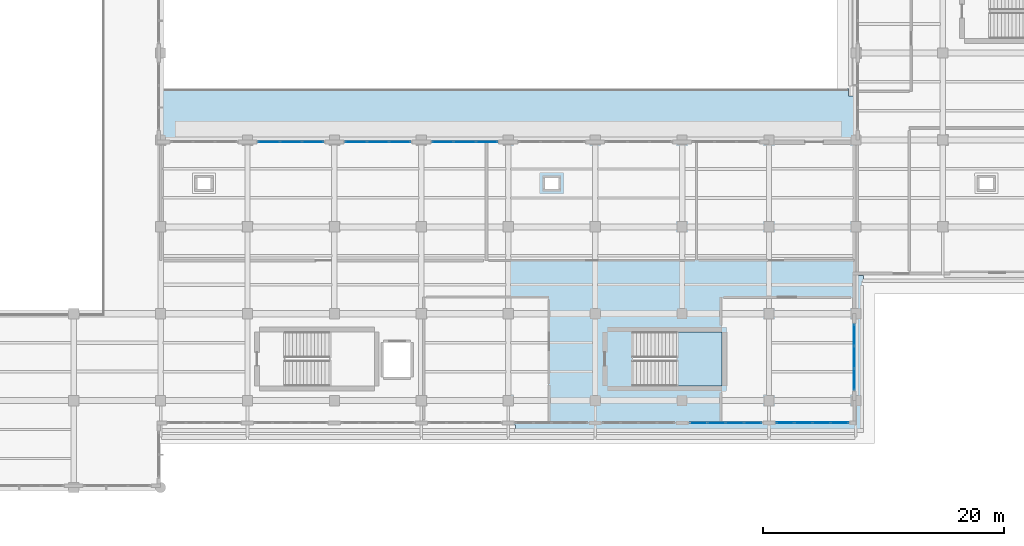
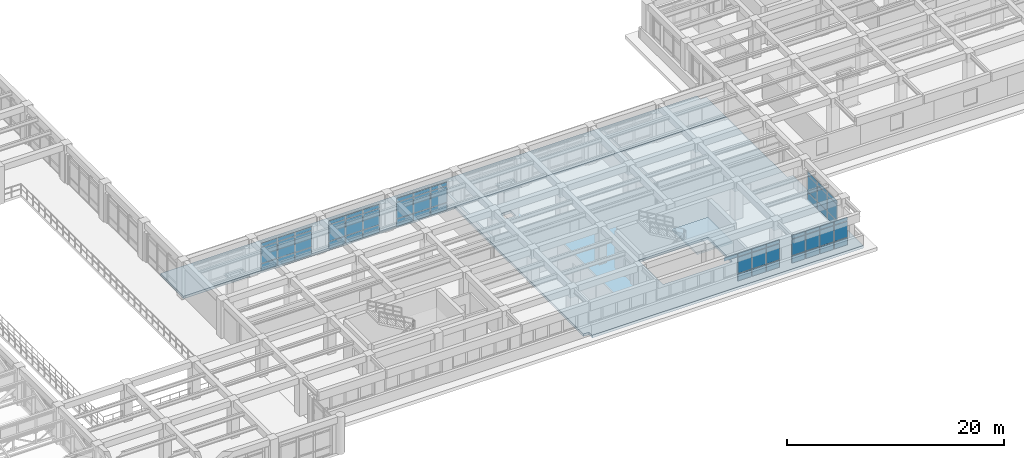
# One storey, part 69 of 98: 58 plates, 3 slabs, 7 elements without a shape of their own.
"""IFC4 building model written with IfcOpenShell, lengths in metres."""

from ifc_helpers import new_model, si_unit, direction, frame, origin, origin_2d, place, context, subcontext, project, spatial, polyline, rectangle, outline, extrude, material, layer, layer_set, type_object, element, aggregate, save


model = new_model("IFC4")

# Units and contexts
model_context = context("Model", 3, precision=1e-05, world=origin(), true_north=direction((0.0, 1.0)))
body_context = subcontext(model_context, "Body", "Model", "MODEL_VIEW")
ifc_project = project(units=[si_unit("LENGTHUNIT", "METRE"), si_unit("AREAUNIT", "SQUARE_METRE"), si_unit("VOLUMEUNIT", "CUBIC_METRE"), si_unit("PLANEANGLEUNIT", "RADIAN"), si_unit("MASSUNIT", "GRAM", prefix="KILO")], contexts=[model_context])

# Site, building, storey
site_placement = place(None, origin())
site = spatial("IfcSite", under=ifc_project, at=site_placement, CompositionType="ELEMENT")
building_placement = place(site_placement, origin())
building = spatial("IfcBuilding", under=site, at=building_placement, Name="Solenvale Faculty of Natural Sciences", CompositionType="ELEMENT")
storey_placement = place(building_placement, frame((0.0, 0.0, 9.0)))
storey = spatial("IfcBuildingStorey", under=building, at=storey_placement, Name="L02", CompositionType="ELEMENT", Elevation=9.0)

# Curtain wall, plates
ifc_material_1 = material(Name="Anodised bronze aluminium", Category="aluminium")
ifc_layer_1 = layer(ifc_material_1, 0.18994140625)
ifc_layer_set_1 = layer_set([ifc_layer_1], Name="Anodised bronze aluminium")
curtain_wall_type_1 = type_object("IfcCurtainWallType", Name="CW-TRAY-REC", PredefinedType="USERDEFINED", material=ifc_layer_set_1)
curtain_wall_1_placement = place(storey_placement, origin())
curtain_wall_1 = element("IfcCurtainWall", 1, at=curtain_wall_1_placement, inside=storey, type_object=curtain_wall_type_1, Name="L02 Curtain Wall CW-L02-P1-E6-B7", ObjectType="UNITISED CURTAIN WALL", PredefinedType="USERDEFINED")
ifc_material_2 = material(Name="North-light skylight glass", Category="glass")
ifc_layer_2 = layer(ifc_material_2, 0.028076171875)
ifc_layer_set_2 = layer_set([ifc_layer_2], Name="North-light skylight glass")
plate_type_1 = type_object("IfcPlateType", Name="CWP-PNL-28", PredefinedType="CURTAIN_PANEL", material=ifc_layer_set_2)
plate_1_placement = place(storey_placement, frame((70.214599609375, 43.03759765625, 0.074951171875), z_axis=(0.0, 0.0, 1.0), x_axis=(-1.0, 0.0, 0.0)))
plate_1 = element("IfcPlate", 2, at=plate_1_placement, type_object=plate_type_1, Name="CW-02 panel 1.1", PredefinedType="CURTAIN_PANEL", context=body_context, shape_type="SweptSolid", body=[
    extrude(rectangle(XDim=1.720947265625, YDim=0.028076171875, at=origin_2d()), origin(), (0.0, 0.0, 1.0), 0.78759765625),
])
plate_2_placement = place(storey_placement, frame((70.214599609375, 43.03759765625, 0.9375), z_axis=(0.0, 0.0, 1.0), x_axis=(-1.0, 0.0, 0.0)))
plate_2 = element("IfcPlate", 3, at=plate_2_placement, type_object=plate_type_1, Name="CW-02 panel 1.2", PredefinedType="CURTAIN_PANEL", context=body_context, shape_type="SweptSolid", body=[
    extrude(rectangle(XDim=1.720947265625, YDim=0.028076171875, at=origin_2d()), origin(), (0.0, 0.0, 1.0), 1.784912109375),
])
plate_3_placement = place(storey_placement, frame((70.214599609375, 43.03759765625, 2.79736328125), z_axis=(0.0, 0.0, 1.0), x_axis=(-1.0, 0.0, 0.0)))
plate_3 = element("IfcPlate", 4, at=plate_3_placement, type_object=plate_type_1, Name="CW-02 panel 1.3", PredefinedType="CURTAIN_PANEL", context=body_context, shape_type="SweptSolid", body=[
    extrude(rectangle(XDim=1.720947265625, YDim=0.028076171875, at=origin_2d()), origin(), (0.0, 0.0, 1.0), 0.387451171875),
])
plate_4_placement = place(storey_placement, frame((68.39990234375, 43.03759765625, 0.074951171875), z_axis=(0.0, 0.0, 1.0), x_axis=(-1.0, 0.0, 0.0)))
plate_4 = element("IfcPlate", 5, at=plate_4_placement, type_object=plate_type_1, Name="CW-02 panel 2.1", PredefinedType="CURTAIN_PANEL", context=body_context, shape_type="SweptSolid", body=[
    extrude(rectangle(XDim=1.75830078125, YDim=0.028076171875, at=origin_2d()), origin(), (0.0, 0.0, 1.0), 0.78759765625),
])
plate_5_placement = place(storey_placement, frame((68.39990234375, 43.03759765625, 0.9375), z_axis=(0.0, 0.0, 1.0), x_axis=(-1.0, 0.0, 0.0)))
plate_5 = element("IfcPlate", 6, at=plate_5_placement, type_object=plate_type_1, Name="CW-02 panel 2.2", PredefinedType="CURTAIN_PANEL", context=body_context, shape_type="SweptSolid", body=[
    extrude(rectangle(XDim=1.75830078125, YDim=0.028076171875, at=origin_2d()), origin(), (0.0, 0.0, 1.0), 1.784912109375),
])
plate_6_placement = place(storey_placement, frame((68.39990234375, 43.03759765625, 2.79736328125), z_axis=(0.0, 0.0, 1.0), x_axis=(-1.0, 0.0, 0.0)))
plate_6 = element("IfcPlate", 7, at=plate_6_placement, type_object=plate_type_1, Name="CW-02 panel 2.3", PredefinedType="CURTAIN_PANEL", context=body_context, shape_type="SweptSolid", body=[
    extrude(rectangle(XDim=1.75830078125, YDim=0.028076171875, at=origin_2d()), origin(), (0.0, 0.0, 1.0), 0.387451171875),
])
plate_7_placement = place(storey_placement, frame((66.58544921875, 43.03759765625, 0.074951171875), z_axis=(0.0, 0.0, 1.0), x_axis=(-1.0, 0.0, 0.0)))
plate_7 = element("IfcPlate", 8, at=plate_7_placement, type_object=plate_type_1, Name="CW-02 panel 3.1", PredefinedType="CURTAIN_PANEL", context=body_context, shape_type="SweptSolid", body=[
    extrude(rectangle(XDim=1.720947265625, YDim=0.028076171875, at=origin_2d()), origin(), (0.0, 0.0, 1.0), 0.78759765625),
])
plate_8_placement = place(storey_placement, frame((66.58544921875, 43.03759765625, 0.9375), z_axis=(0.0, 0.0, 1.0), x_axis=(-1.0, 0.0, 0.0)))
plate_8 = element("IfcPlate", 9, at=plate_8_placement, type_object=plate_type_1, Name="CW-02 panel 3.2", PredefinedType="CURTAIN_PANEL", context=body_context, shape_type="SweptSolid", body=[
    extrude(rectangle(XDim=1.720947265625, YDim=0.028076171875, at=origin_2d()), origin(), (0.0, 0.0, 1.0), 1.784912109375),
])
plate_9_placement = place(storey_placement, frame((66.58544921875, 43.03759765625, 2.79736328125), z_axis=(0.0, 0.0, 1.0), x_axis=(-1.0, 0.0, 0.0)))
plate_9 = element("IfcPlate", 10, at=plate_9_placement, type_object=plate_type_1, Name="CW-02 panel 3.3", PredefinedType="CURTAIN_PANEL", context=body_context, shape_type="SweptSolid", body=[
    extrude(rectangle(XDim=1.720947265625, YDim=0.028076171875, at=origin_2d()), origin(), (0.0, 0.0, 1.0), 0.387451171875),
])
aggregate(curtain_wall_1, [plate_1, plate_2, plate_3, plate_4, plate_5, plate_6, plate_7, plate_8, plate_9])

ifc_layer_3 = layer(ifc_material_1, 0.179931640625)
ifc_layer_set_3 = layer_set([ifc_layer_3], Name="Anodised bronze aluminium")
curtain_wall_type_2 = type_object("IfcCurtainWallType", Name="CW-TWR-MOD", PredefinedType="USERDEFINED", material=ifc_layer_set_3)
curtain_wall_2_placement = place(storey_placement, origin())
curtain_wall_2 = element("IfcCurtainWall", 11, at=curtain_wall_2_placement, inside=storey, type_object=curtain_wall_type_2, Name="L02 Curtain Wall CW-L02-P1-E1-B2", ObjectType="UNITISED CURTAIN WALL", PredefinedType="USERDEFINED")
ifc_layer_4 = layer(ifc_material_1, 0.053955078125)
ifc_layer_set_4 = layer_set([ifc_layer_4], Name="Anodised bronze aluminium")
plate_type_2 = type_object("IfcPlateType", Name="CWP-PNL-54", PredefinedType="CURTAIN_PANEL", material=ifc_layer_set_4)
plate_10_placement = place(storey_placement, frame((115.0576171875, 23.385498046875, 0.074951171875), z_axis=(0.0, 0.0, 1.0), x_axis=(0.0, 1.0, 0.0)))
plate_10 = element("IfcPlate", 12, at=plate_10_placement, type_object=plate_type_2, Name="CW-04 panel 1.1", PredefinedType="CURTAIN_PANEL", context=body_context, shape_type="SweptSolid", body=[
    extrude(rectangle(XDim=1.720947265625, YDim=0.053955078125, at=origin_2d()), origin(), (0.0, 0.0, 1.0), 0.78759765625),
])
plate_11_placement = place(storey_placement, frame((115.0576171875, 23.385498046875, 0.9375), z_axis=(0.0, 0.0, 1.0), x_axis=(0.0, 1.0, 0.0)))
plate_11 = element("IfcPlate", 13, at=plate_11_placement, type_object=plate_type_2, Name="CW-04 panel 1.2", PredefinedType="CURTAIN_PANEL", context=body_context, shape_type="SweptSolid", body=[
    extrude(rectangle(XDim=1.720947265625, YDim=0.053955078125, at=origin_2d()), origin(), (0.0, 0.0, 1.0), 1.784912109375),
])
plate_12_placement = place(storey_placement, frame((115.0576171875, 23.385498046875, 2.79736328125), z_axis=(0.0, 0.0, 1.0), x_axis=(0.0, 1.0, 0.0)))
plate_12 = element("IfcPlate", 14, at=plate_12_placement, type_object=plate_type_2, Name="CW-04 panel 1.3", PredefinedType="CURTAIN_PANEL", context=body_context, shape_type="SweptSolid", body=[
    extrude(rectangle(XDim=1.720947265625, YDim=0.053955078125, at=origin_2d()), origin(), (0.0, 0.0, 1.0), 0.387451171875),
])
plate_13_placement = place(storey_placement, frame((115.0576171875, 25.199951171875, 0.074951171875), z_axis=(0.0, 0.0, 1.0), x_axis=(0.0, 1.0, 0.0)))
plate_13 = element("IfcPlate", 15, at=plate_13_placement, type_object=plate_type_2, Name="CW-04 panel 2.1", PredefinedType="CURTAIN_PANEL", context=body_context, shape_type="SweptSolid", body=[
    extrude(rectangle(XDim=1.75830078125, YDim=0.053955078125, at=origin_2d()), origin(), (0.0, 0.0, 1.0), 0.78759765625),
])
plate_14_placement = place(storey_placement, frame((115.0576171875, 25.199951171875, 0.9375), z_axis=(0.0, 0.0, 1.0), x_axis=(0.0, 1.0, 0.0)))
plate_14 = element("IfcPlate", 16, at=plate_14_placement, type_object=plate_type_2, Name="CW-04 panel 2.2", PredefinedType="CURTAIN_PANEL", context=body_context, shape_type="SweptSolid", body=[
    extrude(rectangle(XDim=1.75830078125, YDim=0.053955078125, at=origin_2d()), origin(), (0.0, 0.0, 1.0), 1.784912109375),
])
plate_15_placement = place(storey_placement, frame((115.0576171875, 25.199951171875, 2.79736328125), z_axis=(0.0, 0.0, 1.0), x_axis=(0.0, 1.0, 0.0)))
plate_15 = element("IfcPlate", 17, at=plate_15_placement, type_object=plate_type_2, Name="CW-04 panel 2.3", PredefinedType="CURTAIN_PANEL", context=body_context, shape_type="SweptSolid", body=[
    extrude(rectangle(XDim=1.75830078125, YDim=0.053955078125, at=origin_2d()), origin(), (0.0, 0.0, 1.0), 0.387451171875),
])
plate_16_placement = place(storey_placement, frame((115.0576171875, 27.0146484375, 0.074951171875), z_axis=(0.0, 0.0, 1.0), x_axis=(0.0, 1.0, 0.0)))
plate_16 = element("IfcPlate", 18, at=plate_16_placement, type_object=plate_type_2, Name="CW-04 panel 3.1", PredefinedType="CURTAIN_PANEL", context=body_context, shape_type="SweptSolid", body=[
    extrude(rectangle(XDim=1.720947265625, YDim=0.053955078125, at=origin_2d()), origin(), (0.0, 0.0, 1.0), 0.78759765625),
])
plate_17_placement = place(storey_placement, frame((115.0576171875, 27.0146484375, 0.9375), z_axis=(0.0, 0.0, 1.0), x_axis=(0.0, 1.0, 0.0)))
plate_17 = element("IfcPlate", 19, at=plate_17_placement, type_object=plate_type_2, Name="CW-04 panel 3.2", PredefinedType="CURTAIN_PANEL", context=body_context, shape_type="SweptSolid", body=[
    extrude(rectangle(XDim=1.720947265625, YDim=0.053955078125, at=origin_2d()), origin(), (0.0, 0.0, 1.0), 1.784912109375),
])
plate_18_placement = place(storey_placement, frame((115.0576171875, 27.0146484375, 2.79736328125), z_axis=(0.0, 0.0, 1.0), x_axis=(0.0, 1.0, 0.0)))
plate_18 = element("IfcPlate", 20, at=plate_18_placement, type_object=plate_type_2, Name="CW-04 panel 3.3", PredefinedType="CURTAIN_PANEL", context=body_context, shape_type="SweptSolid", body=[
    extrude(rectangle(XDim=1.720947265625, YDim=0.053955078125, at=origin_2d()), origin(), (0.0, 0.0, 1.0), 0.387451171875),
])
aggregate(curtain_wall_2, [plate_10, plate_11, plate_12, plate_13, plate_14, plate_15, plate_16, plate_17, plate_18])

curtain_wall_3_placement = place(storey_placement, origin())
curtain_wall_3 = element("IfcCurtainWall", 21, at=curtain_wall_3_placement, inside=storey, type_object=curtain_wall_type_1, Name="L02 Curtain Wall CW-L02-P1-E6-B5", ObjectType="UNITISED CURTAIN WALL", PredefinedType="USERDEFINED")
plate_19_placement = place(storey_placement, frame((84.614501953125, 43.03759765625, 0.074951171875), z_axis=(0.0, 0.0, 1.0), x_axis=(-1.0, 0.0, 0.0)))
plate_19 = element("IfcPlate", 22, at=plate_19_placement, type_object=plate_type_2, Name="CW-02 panel 1.1", PredefinedType="CURTAIN_PANEL", context=body_context, shape_type="SweptSolid", body=[
    extrude(rectangle(XDim=1.720947265625, YDim=0.053955078125, at=origin_2d()), origin(), (0.0, 0.0, 1.0), 0.78759765625),
])
plate_20_placement = place(storey_placement, frame((84.614501953125, 43.03759765625, 0.9375), z_axis=(0.0, 0.0, 1.0), x_axis=(-1.0, 0.0, 0.0)))
plate_20 = element("IfcPlate", 23, at=plate_20_placement, type_object=plate_type_2, Name="CW-02 panel 1.2", PredefinedType="CURTAIN_PANEL", context=body_context, shape_type="SweptSolid", body=[
    extrude(rectangle(XDim=1.720947265625, YDim=0.053955078125, at=origin_2d()), origin(), (0.0, 0.0, 1.0), 1.784912109375),
])
plate_21_placement = place(storey_placement, frame((84.614501953125, 43.03759765625, 2.79736328125), z_axis=(0.0, 0.0, 1.0), x_axis=(-1.0, 0.0, 0.0)))
plate_21 = element("IfcPlate", 24, at=plate_21_placement, type_object=plate_type_2, Name="CW-02 panel 1.3", PredefinedType="CURTAIN_PANEL", context=body_context, shape_type="SweptSolid", body=[
    extrude(rectangle(XDim=1.720947265625, YDim=0.053955078125, at=origin_2d()), origin(), (0.0, 0.0, 1.0), 0.387451171875),
])
plate_22_placement = place(storey_placement, frame((82.800048828125, 43.03759765625, 0.074951171875), z_axis=(0.0, 0.0, 1.0), x_axis=(-1.0, 0.0, 0.0)))
plate_22 = element("IfcPlate", 25, at=plate_22_placement, type_object=plate_type_2, Name="CW-02 panel 2.1", PredefinedType="CURTAIN_PANEL", context=body_context, shape_type="SweptSolid", body=[
    extrude(rectangle(XDim=1.75830078125, YDim=0.053955078125, at=origin_2d()), origin(), (0.0, 0.0, 1.0), 0.78759765625),
])
plate_23_placement = place(storey_placement, frame((82.800048828125, 43.03759765625, 0.9375), z_axis=(0.0, 0.0, 1.0), x_axis=(-1.0, 0.0, 0.0)))
plate_23 = element("IfcPlate", 26, at=plate_23_placement, type_object=plate_type_2, Name="CW-02 panel 2.2", PredefinedType="CURTAIN_PANEL", context=body_context, shape_type="SweptSolid", body=[
    extrude(rectangle(XDim=1.75830078125, YDim=0.053955078125, at=origin_2d()), origin(), (0.0, 0.0, 1.0), 1.784912109375),
])
plate_24_placement = place(storey_placement, frame((82.800048828125, 43.03759765625, 2.79736328125), z_axis=(0.0, 0.0, 1.0), x_axis=(-1.0, 0.0, 0.0)))
plate_24 = element("IfcPlate", 27, at=plate_24_placement, type_object=plate_type_2, Name="CW-02 panel 2.3", PredefinedType="CURTAIN_PANEL", context=body_context, shape_type="SweptSolid", body=[
    extrude(rectangle(XDim=1.75830078125, YDim=0.053955078125, at=origin_2d()), origin(), (0.0, 0.0, 1.0), 0.387451171875),
])
plate_25_placement = place(storey_placement, frame((80.9853515625, 43.03759765625, 0.074951171875), z_axis=(0.0, 0.0, 1.0), x_axis=(-1.0, 0.0, 0.0)))
plate_25 = element("IfcPlate", 28, at=plate_25_placement, type_object=plate_type_2, Name="CW-02 panel 3.1", PredefinedType="CURTAIN_PANEL", context=body_context, shape_type="SweptSolid", body=[
    extrude(rectangle(XDim=1.720947265625, YDim=0.053955078125, at=origin_2d()), origin(), (0.0, 0.0, 1.0), 0.78759765625),
])
plate_26_placement = place(storey_placement, frame((80.9853515625, 43.03759765625, 0.9375), z_axis=(0.0, 0.0, 1.0), x_axis=(-1.0, 0.0, 0.0)))
plate_26 = element("IfcPlate", 29, at=plate_26_placement, type_object=plate_type_2, Name="CW-02 panel 3.2", PredefinedType="CURTAIN_PANEL", context=body_context, shape_type="SweptSolid", body=[
    extrude(rectangle(XDim=1.720947265625, YDim=0.053955078125, at=origin_2d()), origin(), (0.0, 0.0, 1.0), 1.784912109375),
])
plate_27_placement = place(storey_placement, frame((80.9853515625, 43.03759765625, 2.79736328125), z_axis=(0.0, 0.0, 1.0), x_axis=(-1.0, 0.0, 0.0)))
plate_27 = element("IfcPlate", 30, at=plate_27_placement, type_object=plate_type_2, Name="CW-02 panel 3.3", PredefinedType="CURTAIN_PANEL", context=body_context, shape_type="SweptSolid", body=[
    extrude(rectangle(XDim=1.720947265625, YDim=0.053955078125, at=origin_2d()), origin(), (0.0, 0.0, 1.0), 0.387451171875),
])
aggregate(curtain_wall_3, [plate_19, plate_20, plate_21, plate_22, plate_23, plate_24, plate_25, plate_26, plate_27])

curtain_wall_4_placement = place(storey_placement, origin())
curtain_wall_4 = element("IfcCurtainWall", 31, at=curtain_wall_4_placement, inside=storey, type_object=curtain_wall_type_1, Name="L02 Curtain Wall CW-L02-P1-E12-B7", ObjectType="UNITISED CURTAIN WALL", PredefinedType="USERDEFINED")
plate_28_placement = place(storey_placement, frame((102.15380859375, 19.762451171875, 2.79736328125), z_axis=(0.0, 0.0, 1.0), x_axis=(1.0, 0.0, 0.0)))
plate_28 = element("IfcPlate", 32, at=plate_28_placement, type_object=plate_type_2, Name="CW-02 panel 1.3", PredefinedType="CURTAIN_PANEL", context=body_context, shape_type="SweptSolid", body=[
    extrude(rectangle(XDim=1.3974609375, YDim=0.053955078125, at=origin_2d()), origin(), (0.0, 0.0, 1.0), 0.387451171875),
])
plate_29_placement = place(storey_placement, frame((103.64501953125, 19.762451171875, 0.074951171875), z_axis=(0.0, 0.0, 1.0), x_axis=(1.0, 0.0, 0.0)))
plate_29 = element("IfcPlate", 33, at=plate_29_placement, type_object=plate_type_2, Name="CW-02 panel 2.1", PredefinedType="CURTAIN_PANEL", context=body_context, shape_type="SweptSolid", body=[
    extrude(rectangle(XDim=1.43505859375, YDim=0.053955078125, at=origin_2d()), origin(), (0.0, 0.0, 1.0), 0.78759765625),
])
plate_30_placement = place(storey_placement, frame((103.64501953125, 19.762451171875, 0.9375), z_axis=(0.0, 0.0, 1.0), x_axis=(1.0, 0.0, 0.0)))
plate_30 = element("IfcPlate", 34, at=plate_30_placement, type_object=plate_type_2, Name="CW-02 panel 2.2", PredefinedType="CURTAIN_PANEL", context=body_context, shape_type="SweptSolid", body=[
    extrude(rectangle(XDim=1.43505859375, YDim=0.053955078125, at=origin_2d()), origin(), (0.0, 0.0, 1.0), 1.784912109375),
])
plate_31_placement = place(storey_placement, frame((103.64501953125, 19.762451171875, 2.79736328125), z_axis=(0.0, 0.0, 1.0), x_axis=(1.0, 0.0, 0.0)))
plate_31 = element("IfcPlate", 35, at=plate_31_placement, type_object=plate_type_2, Name="CW-02 panel 2.3", PredefinedType="CURTAIN_PANEL", context=body_context, shape_type="SweptSolid", body=[
    extrude(rectangle(XDim=1.43505859375, YDim=0.053955078125, at=origin_2d()), origin(), (0.0, 0.0, 1.0), 0.387451171875),
])
plate_32_placement = place(storey_placement, frame((105.155029296875, 19.762451171875, 0.074951171875), z_axis=(0.0, 0.0, 1.0), x_axis=(1.0, 0.0, 0.0)))
plate_32 = element("IfcPlate", 36, at=plate_32_placement, type_object=plate_type_2, Name="CW-02 panel 3.1", PredefinedType="CURTAIN_PANEL", context=body_context, shape_type="SweptSolid", body=[
    extrude(rectangle(XDim=1.43505859375, YDim=0.053955078125, at=origin_2d()), origin(), (0.0, 0.0, 1.0), 0.78759765625),
])
plate_33_placement = place(storey_placement, frame((105.155029296875, 19.762451171875, 0.9375), z_axis=(0.0, 0.0, 1.0), x_axis=(1.0, 0.0, 0.0)))
plate_33 = element("IfcPlate", 37, at=plate_33_placement, type_object=plate_type_2, Name="CW-02 panel 3.2", PredefinedType="CURTAIN_PANEL", context=body_context, shape_type="SweptSolid", body=[
    extrude(rectangle(XDim=1.43505859375, YDim=0.053955078125, at=origin_2d()), origin(), (0.0, 0.0, 1.0), 1.784912109375),
])
plate_34_placement = place(storey_placement, frame((105.155029296875, 19.762451171875, 2.79736328125), z_axis=(0.0, 0.0, 1.0), x_axis=(1.0, 0.0, 0.0)))
plate_34 = element("IfcPlate", 38, at=plate_34_placement, type_object=plate_type_2, Name="CW-02 panel 3.3", PredefinedType="CURTAIN_PANEL", context=body_context, shape_type="SweptSolid", body=[
    extrude(rectangle(XDim=1.43505859375, YDim=0.053955078125, at=origin_2d()), origin(), (0.0, 0.0, 1.0), 0.387451171875),
])
plate_35_placement = place(storey_placement, frame((106.646240234375, 19.762451171875, 0.074951171875), z_axis=(0.0, 0.0, 1.0), x_axis=(1.0, 0.0, 0.0)))
plate_35 = element("IfcPlate", 39, at=plate_35_placement, type_object=plate_type_2, Name="CW-02 panel 4.1", PredefinedType="CURTAIN_PANEL", context=body_context, shape_type="SweptSolid", body=[
    extrude(rectangle(XDim=1.3974609375, YDim=0.053955078125, at=origin_2d()), origin(), (0.0, 0.0, 1.0), 0.78759765625),
])
plate_36_placement = place(storey_placement, frame((106.646240234375, 19.762451171875, 0.9375), z_axis=(0.0, 0.0, 1.0), x_axis=(1.0, 0.0, 0.0)))
plate_36 = element("IfcPlate", 40, at=plate_36_placement, type_object=plate_type_2, Name="CW-02 panel 4.2", PredefinedType="CURTAIN_PANEL", context=body_context, shape_type="SweptSolid", body=[
    extrude(rectangle(XDim=1.3974609375, YDim=0.053955078125, at=origin_2d()), origin(), (0.0, 0.0, 1.0), 1.784912109375),
])
plate_37_placement = place(storey_placement, frame((106.646240234375, 19.762451171875, 2.79736328125), z_axis=(0.0, 0.0, 1.0), x_axis=(1.0, 0.0, 0.0)))
plate_37 = element("IfcPlate", 41, at=plate_37_placement, type_object=plate_type_2, Name="CW-02 panel 4.3", PredefinedType="CURTAIN_PANEL", context=body_context, shape_type="SweptSolid", body=[
    extrude(rectangle(XDim=1.3974609375, YDim=0.053955078125, at=origin_2d()), origin(), (0.0, 0.0, 1.0), 0.387451171875),
])
aggregate(curtain_wall_4, [plate_28, plate_29, plate_30, plate_31, plate_32, plate_33, plate_34, plate_35, plate_36, plate_37])

curtain_wall_5_placement = place(storey_placement, origin())
curtain_wall_5 = element("IfcCurtainWall", 42, at=curtain_wall_5_placement, inside=storey, type_object=curtain_wall_type_1, Name="L02 Curtain Wall CW-L02-P1-E6-B6", ObjectType="UNITISED CURTAIN WALL", PredefinedType="USERDEFINED")
ifc_layer_5 = layer(ifc_material_1, 0.06005859375)
ifc_layer_set_5 = layer_set([ifc_layer_5], Name="Anodised bronze aluminium")
plate_type_3 = type_object("IfcPlateType", Name="CWP-PNL-60", PredefinedType="CURTAIN_PANEL", material=ifc_layer_set_5)
plate_38_placement = place(storey_placement, frame((77.41455078125, 43.03759765625, 0.074951171875), z_axis=(0.0, 0.0, 1.0), x_axis=(-1.0, 0.0, 0.0)))
plate_38 = element("IfcPlate", 43, at=plate_38_placement, type_object=plate_type_3, Name="CW-02 panel 1.1", PredefinedType="CURTAIN_PANEL", context=body_context, shape_type="SweptSolid", body=[
    extrude(rectangle(XDim=1.720947265625, YDim=0.06005859375, at=origin_2d()), origin(), (0.0, 0.0, 1.0), 0.78759765625),
])
plate_39_placement = place(storey_placement, frame((77.41455078125, 43.03759765625, 0.9375), z_axis=(0.0, 0.0, 1.0), x_axis=(-1.0, 0.0, 0.0)))
plate_39 = element("IfcPlate", 44, at=plate_39_placement, type_object=plate_type_3, Name="CW-02 panel 1.2", PredefinedType="CURTAIN_PANEL", context=body_context, shape_type="SweptSolid", body=[
    extrude(rectangle(XDim=1.720947265625, YDim=0.06005859375, at=origin_2d()), origin(), (0.0, 0.0, 1.0), 1.784912109375),
])
plate_40_placement = place(storey_placement, frame((77.41455078125, 43.03759765625, 2.79736328125), z_axis=(0.0, 0.0, 1.0), x_axis=(-1.0, 0.0, 0.0)))
plate_40 = element("IfcPlate", 45, at=plate_40_placement, type_object=plate_type_3, Name="CW-02 panel 1.3", PredefinedType="CURTAIN_PANEL", context=body_context, shape_type="SweptSolid", body=[
    extrude(rectangle(XDim=1.720947265625, YDim=0.06005859375, at=origin_2d()), origin(), (0.0, 0.0, 1.0), 0.387451171875),
])
plate_41_placement = place(storey_placement, frame((75.60009765625, 43.03759765625, 0.074951171875), z_axis=(0.0, 0.0, 1.0), x_axis=(-1.0, 0.0, 0.0)))
plate_41 = element("IfcPlate", 46, at=plate_41_placement, type_object=plate_type_3, Name="CW-02 panel 2.1", PredefinedType="CURTAIN_PANEL", context=body_context, shape_type="SweptSolid", body=[
    extrude(rectangle(XDim=1.75830078125, YDim=0.06005859375, at=origin_2d()), origin(), (0.0, 0.0, 1.0), 0.78759765625),
])
plate_42_placement = place(storey_placement, frame((75.60009765625, 43.03759765625, 0.9375), z_axis=(0.0, 0.0, 1.0), x_axis=(-1.0, 0.0, 0.0)))
plate_42 = element("IfcPlate", 47, at=plate_42_placement, type_object=plate_type_3, Name="CW-02 panel 2.2", PredefinedType="CURTAIN_PANEL", context=body_context, shape_type="SweptSolid", body=[
    extrude(rectangle(XDim=1.75830078125, YDim=0.06005859375, at=origin_2d()), origin(), (0.0, 0.0, 1.0), 1.784912109375),
])
plate_43_placement = place(storey_placement, frame((75.60009765625, 43.03759765625, 2.79736328125), z_axis=(0.0, 0.0, 1.0), x_axis=(-1.0, 0.0, 0.0)))
plate_43 = element("IfcPlate", 48, at=plate_43_placement, type_object=plate_type_3, Name="CW-02 panel 2.3", PredefinedType="CURTAIN_PANEL", context=body_context, shape_type="SweptSolid", body=[
    extrude(rectangle(XDim=1.75830078125, YDim=0.06005859375, at=origin_2d()), origin(), (0.0, 0.0, 1.0), 0.387451171875),
])
plate_44_placement = place(storey_placement, frame((73.785400390625, 43.03759765625, 0.074951171875), z_axis=(0.0, 0.0, 1.0), x_axis=(-1.0, 0.0, 0.0)))
plate_44 = element("IfcPlate", 49, at=plate_44_placement, type_object=plate_type_3, Name="CW-02 panel 3.1", PredefinedType="CURTAIN_PANEL", context=body_context, shape_type="SweptSolid", body=[
    extrude(rectangle(XDim=1.720947265625, YDim=0.06005859375, at=origin_2d()), origin(), (0.0, 0.0, 1.0), 0.78759765625),
])
plate_45_placement = place(storey_placement, frame((73.785400390625, 43.03759765625, 0.9375), z_axis=(0.0, 0.0, 1.0), x_axis=(-1.0, 0.0, 0.0)))
plate_45 = element("IfcPlate", 50, at=plate_45_placement, type_object=plate_type_3, Name="CW-02 panel 3.2", PredefinedType="CURTAIN_PANEL", context=body_context, shape_type="SweptSolid", body=[
    extrude(rectangle(XDim=1.720947265625, YDim=0.06005859375, at=origin_2d()), origin(), (0.0, 0.0, 1.0), 1.784912109375),
])
plate_46_placement = place(storey_placement, frame((73.785400390625, 43.03759765625, 2.79736328125), z_axis=(0.0, 0.0, 1.0), x_axis=(-1.0, 0.0, 0.0)))
plate_46 = element("IfcPlate", 51, at=plate_46_placement, type_object=plate_type_3, Name="CW-02 panel 3.3", PredefinedType="CURTAIN_PANEL", context=body_context, shape_type="SweptSolid", body=[
    extrude(rectangle(XDim=1.720947265625, YDim=0.06005859375, at=origin_2d()), origin(), (0.0, 0.0, 1.0), 0.387451171875),
])
aggregate(curtain_wall_5, [plate_38, plate_39, plate_40, plate_41, plate_42, plate_43, plate_44, plate_45, plate_46])

curtain_wall_6_placement = place(storey_placement, origin())
curtain_wall_6 = element("IfcCurtainWall", 52, at=curtain_wall_6_placement, inside=storey, type_object=curtain_wall_type_1, Name="L02 Curtain Wall CW-L02-P1-E12-B8", ObjectType="UNITISED CURTAIN WALL", PredefinedType="USERDEFINED")
plate_47_placement = place(storey_placement, frame((109.353759765625, 19.762451171875, 0.074951171875), z_axis=(0.0, 0.0, 1.0), x_axis=(1.0, 0.0, 0.0)))
plate_47 = element("IfcPlate", 53, at=plate_47_placement, type_object=plate_type_3, Name="CW-02 panel 1.1", PredefinedType="CURTAIN_PANEL", context=body_context, shape_type="SweptSolid", body=[
    extrude(rectangle(XDim=1.3974609375, YDim=0.06005859375, at=origin_2d()), origin(), (0.0, 0.0, 1.0), 0.78759765625),
])
plate_48_placement = place(storey_placement, frame((109.353759765625, 19.762451171875, 0.9375), z_axis=(0.0, 0.0, 1.0), x_axis=(1.0, 0.0, 0.0)))
plate_48 = element("IfcPlate", 54, at=plate_48_placement, type_object=plate_type_3, Name="CW-02 panel 1.2", PredefinedType="CURTAIN_PANEL", context=body_context, shape_type="SweptSolid", body=[
    extrude(rectangle(XDim=1.3974609375, YDim=0.06005859375, at=origin_2d()), origin(), (0.0, 0.0, 1.0), 1.784912109375),
])
plate_49_placement = place(storey_placement, frame((109.353759765625, 19.762451171875, 2.79736328125), z_axis=(0.0, 0.0, 1.0), x_axis=(1.0, 0.0, 0.0)))
plate_49 = element("IfcPlate", 55, at=plate_49_placement, type_object=plate_type_3, Name="CW-02 panel 1.3", PredefinedType="CURTAIN_PANEL", context=body_context, shape_type="SweptSolid", body=[
    extrude(rectangle(XDim=1.3974609375, YDim=0.06005859375, at=origin_2d()), origin(), (0.0, 0.0, 1.0), 0.387451171875),
])
plate_50_placement = place(storey_placement, frame((110.844970703125, 19.762451171875, 0.074951171875), z_axis=(0.0, 0.0, 1.0), x_axis=(1.0, 0.0, 0.0)))
plate_50 = element("IfcPlate", 56, at=plate_50_placement, type_object=plate_type_3, Name="CW-02 panel 2.1", PredefinedType="CURTAIN_PANEL", context=body_context, shape_type="SweptSolid", body=[
    extrude(rectangle(XDim=1.43505859375, YDim=0.06005859375, at=origin_2d()), origin(), (0.0, 0.0, 1.0), 0.78759765625),
])
plate_51_placement = place(storey_placement, frame((110.844970703125, 19.762451171875, 0.9375), z_axis=(0.0, 0.0, 1.0), x_axis=(1.0, 0.0, 0.0)))
plate_51 = element("IfcPlate", 57, at=plate_51_placement, type_object=plate_type_3, Name="CW-02 panel 2.2", PredefinedType="CURTAIN_PANEL", context=body_context, shape_type="SweptSolid", body=[
    extrude(rectangle(XDim=1.43505859375, YDim=0.06005859375, at=origin_2d()), origin(), (0.0, 0.0, 1.0), 1.784912109375),
])
plate_52_placement = place(storey_placement, frame((110.844970703125, 19.762451171875, 2.79736328125), z_axis=(0.0, 0.0, 1.0), x_axis=(1.0, 0.0, 0.0)))
plate_52 = element("IfcPlate", 58, at=plate_52_placement, type_object=plate_type_3, Name="CW-02 panel 2.3", PredefinedType="CURTAIN_PANEL", context=body_context, shape_type="SweptSolid", body=[
    extrude(rectangle(XDim=1.43505859375, YDim=0.06005859375, at=origin_2d()), origin(), (0.0, 0.0, 1.0), 0.387451171875),
])
plate_53_placement = place(storey_placement, frame((112.35498046875, 19.762451171875, 0.074951171875), z_axis=(0.0, 0.0, 1.0), x_axis=(1.0, 0.0, 0.0)))
plate_53 = element("IfcPlate", 59, at=plate_53_placement, type_object=plate_type_3, Name="CW-02 panel 3.1", PredefinedType="CURTAIN_PANEL", context=body_context, shape_type="SweptSolid", body=[
    extrude(rectangle(XDim=1.43505859375, YDim=0.06005859375, at=origin_2d()), origin(), (0.0, 0.0, 1.0), 0.78759765625),
])
plate_54_placement = place(storey_placement, frame((112.35498046875, 19.762451171875, 0.9375), z_axis=(0.0, 0.0, 1.0), x_axis=(1.0, 0.0, 0.0)))
plate_54 = element("IfcPlate", 60, at=plate_54_placement, type_object=plate_type_3, Name="CW-02 panel 3.2", PredefinedType="CURTAIN_PANEL", context=body_context, shape_type="SweptSolid", body=[
    extrude(rectangle(XDim=1.43505859375, YDim=0.06005859375, at=origin_2d()), origin(), (0.0, 0.0, 1.0), 1.784912109375),
])
plate_55_placement = place(storey_placement, frame((112.35498046875, 19.762451171875, 2.79736328125), z_axis=(0.0, 0.0, 1.0), x_axis=(1.0, 0.0, 0.0)))
plate_55 = element("IfcPlate", 61, at=plate_55_placement, type_object=plate_type_3, Name="CW-02 panel 3.3", PredefinedType="CURTAIN_PANEL", context=body_context, shape_type="SweptSolid", body=[
    extrude(rectangle(XDim=1.43505859375, YDim=0.06005859375, at=origin_2d()), origin(), (0.0, 0.0, 1.0), 0.387451171875),
])
plate_56_placement = place(storey_placement, frame((113.84619140625, 19.762451171875, 0.074951171875), z_axis=(0.0, 0.0, 1.0), x_axis=(1.0, 0.0, 0.0)))
plate_56 = element("IfcPlate", 62, at=plate_56_placement, type_object=plate_type_3, Name="CW-02 panel 4.1", PredefinedType="CURTAIN_PANEL", context=body_context, shape_type="SweptSolid", body=[
    extrude(rectangle(XDim=1.3974609375, YDim=0.06005859375, at=origin_2d()), origin(), (0.0, 0.0, 1.0), 0.78759765625),
])
plate_57_placement = place(storey_placement, frame((113.84619140625, 19.762451171875, 0.9375), z_axis=(0.0, 0.0, 1.0), x_axis=(1.0, 0.0, 0.0)))
plate_57 = element("IfcPlate", 63, at=plate_57_placement, type_object=plate_type_3, Name="CW-02 panel 4.2", PredefinedType="CURTAIN_PANEL", context=body_context, shape_type="SweptSolid", body=[
    extrude(rectangle(XDim=1.3974609375, YDim=0.06005859375, at=origin_2d()), origin(), (0.0, 0.0, 1.0), 1.784912109375),
])
plate_58_placement = place(storey_placement, frame((113.84619140625, 19.762451171875, 2.79736328125), z_axis=(0.0, 0.0, 1.0), x_axis=(1.0, 0.0, 0.0)))
plate_58 = element("IfcPlate", 64, at=plate_58_placement, type_object=plate_type_3, Name="CW-02 panel 4.3", PredefinedType="CURTAIN_PANEL", context=body_context, shape_type="SweptSolid", body=[
    extrude(rectangle(XDim=1.3974609375, YDim=0.06005859375, at=origin_2d()), origin(), (0.0, 0.0, 1.0), 0.387451171875),
])
aggregate(curtain_wall_6, [plate_47, plate_48, plate_49, plate_50, plate_51, plate_52, plate_53, plate_54, plate_55, plate_56, plate_57, plate_58])

# Stair, slab
ifc_material_3 = material(Name="Concrete 40 MPa", Category="concrete")
stair_type = type_object("IfcStairType", Name="STR-CORE-25R", PredefinedType="DOUBLE_RETURN_STAIR", material=ifc_material_3)
stair_placement = place(storey_placement, origin())
stair = element("IfcStair", 65, at=stair_placement, inside=storey, type_object=stair_type, Name="L02 Protected Exit Stair ST-07", PredefinedType="DOUBLE_RETURN_STAIR")
ifc_layer_6 = layer(ifc_material_3, 0.195068359375)
ifc_layer_set_6 = layer_set([ifc_layer_6], Name="Concrete 40 MPa")
slab_type_1 = type_object("IfcSlabType", Name="SL-LND-195", PredefinedType="LANDING", material=ifc_layer_set_6)
slab_1_placement = place(storey_placement, frame((0.0, 0.0, 2.050048828125)))
slab_1 = element("IfcSlab", 66, at=slab_1_placement, type_object=slab_type_1, Name="ST-07 landing 1", PredefinedType="LANDING", context=body_context, shape_type="SweptSolid", body=[
    extrude(outline(polyline([(100.340087890625, 22.800048828125), (104.10009765625, 22.800048828125), (104.10009765625, 27.300048828125), (100.340087890625, 27.300048828125), (100.340087890625, 22.800048828125)])), origin(), (0.0, 0.0, 1.0), 0.199951171875),
])
aggregate(stair, [slab_1])

# Slabs
ifc_material_4 = material(Name="Precast terrace paving concrete 35 MPa", Category="concrete")
ifc_layer_7 = layer(ifc_material_4, 0.280029296875)
ifc_layer_set_7 = layer_set([ifc_layer_7], Name="Precast terrace paving concrete 35 MPa")
slab_type_2 = type_object("IfcSlabType", Name="SL-TERR-280", PredefinedType="FLOOR", material=ifc_layer_set_7)
slab_2_placement = place(storey_placement, frame((0.0, 0.0, -0.280029296875)))
element("IfcSlab", 67, at=slab_2_placement, inside=storey, type_object=slab_type_2, Name="L02 North Courtyard Shaded Terrace 2", PredefinedType="FLOOR", context=body_context, shape_type="SweptSolid", body=[
    extrude(outline(polyline([(57.60009765625, 47.419921875), (57.60595703125, 47.43408203125), (57.6201171875, 47.43994140625), (114.56201171875, 47.43994140625), (114.575439453125, 47.4326171875), (114.580078125, 47.419921875), (114.580078125, 46.820068359375), (115.179931640625, 46.820068359375), (115.19970703125, 46.803955078125), (115.199951171875, 43.218017578125), (115.192626953125, 43.20458984375), (115.179931640625, 43.199951171875), (57.617919921875, 43.2001953125), (57.6044921875, 43.207275390625), (57.60009765625, 43.219970703125), (57.60009765625, 47.419921875)])), origin(), (0.0, 0.0, 1.0), 0.280029296875),
])
ifc_material_5 = material(Name="Architectural bronze concrete 40 MPa", Category="concrete")
ifc_layer_8 = layer(ifc_material_5, 0.280029296875)
ifc_layer_set_8 = layer_set([ifc_layer_8], Name="Architectural bronze concrete 40 MPa")
slab_type_3 = type_object("IfcSlabType", Name="SL-TRAY-280", PredefinedType="FLOOR", material=ifc_layer_set_8)
slab_3_placement = place(storey_placement, frame((0.0, 0.0, -0.280029296875)))
element("IfcSlab", 68, at=slab_3_placement, inside=storey, type_object=slab_type_3, Name="L02 V4 Floor Slab 2.1", PredefinedType="FLOOR", context=body_context, shape_type="SweptSolid", body=[
    extrude(outline(polyline([(86.455078125, 19.580078125), (86.437255859375, 19.58740234375), (86.429931640625, 19.60498046875), (86.429931640625, 43.175048828125), (86.439208984375, 43.1943359375), (86.455078125, 43.199951171875), (115.175537109375, 43.199951171875), (115.224365234375, 43.171142578125), (115.22998046875, 43.1552734375), (115.22998046875, 31.998779296875), (115.236328125, 31.9853515625), (115.249755859375, 31.97998046875), (115.797607421875, 31.97998046875), (115.814208984375, 31.970947265625), (115.820068359375, 31.955078125), (115.820068359375, 19.0048828125), (115.810791015625, 18.985595703125), (115.794921875, 18.97998046875), (87.044921875, 18.97998046875), (87.02734375, 18.9873046875), (87.02001953125, 19.0048828125), (87.02001953125, 19.580078125), (86.455078125, 19.580078125)]), holes=[polyline([(96.739990234375, 22.800048828125), (104.10009765625, 22.800048828125), (104.10009765625, 27.300048828125), (96.739990234375, 27.300048828125), (96.739990234375, 22.800048828125)]), polyline([(89.449951171875, 39.14990234375), (90.550048828125, 39.14990234375), (90.550048828125, 40.050048828125), (89.449951171875, 40.050048828125), (89.449951171875, 39.14990234375)])]), origin(), (0.0, 0.0, 1.0), 0.280029296875),
])

save(model, "model.ifc")
